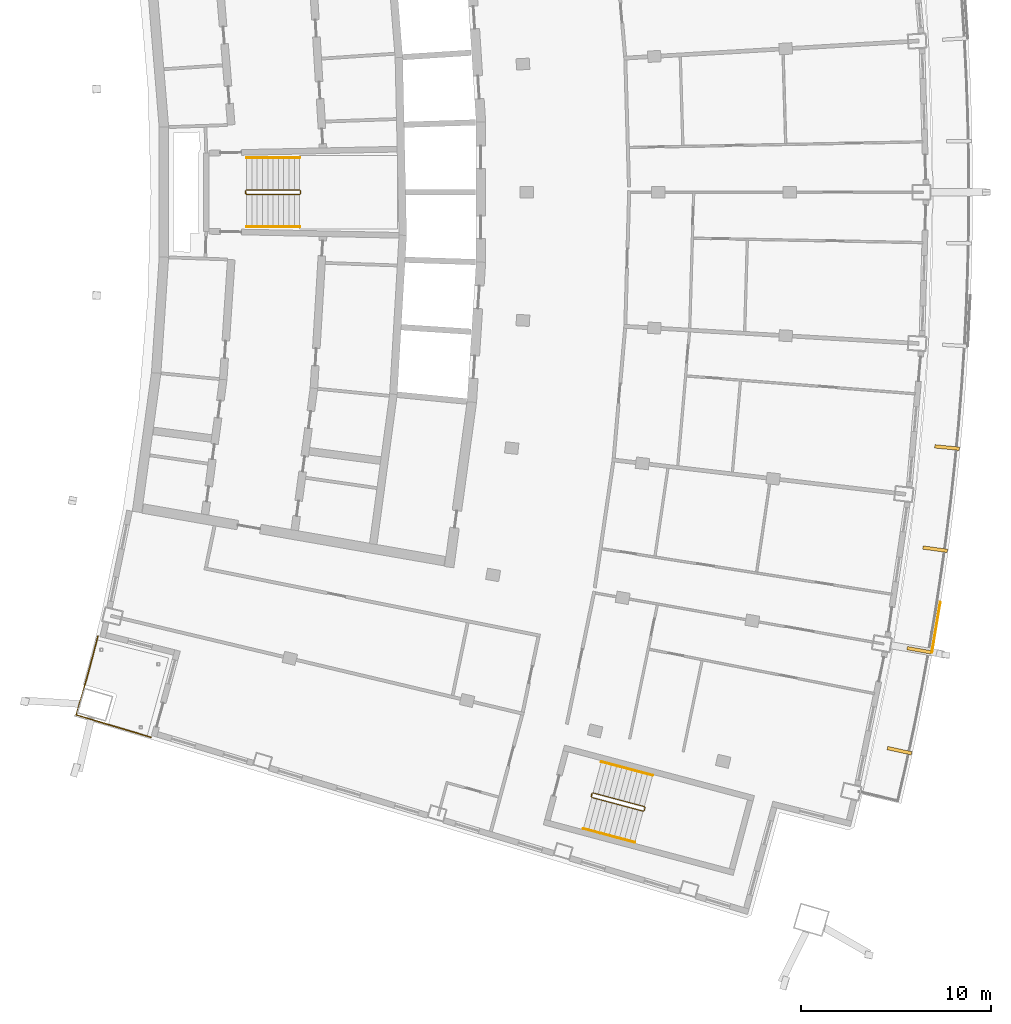
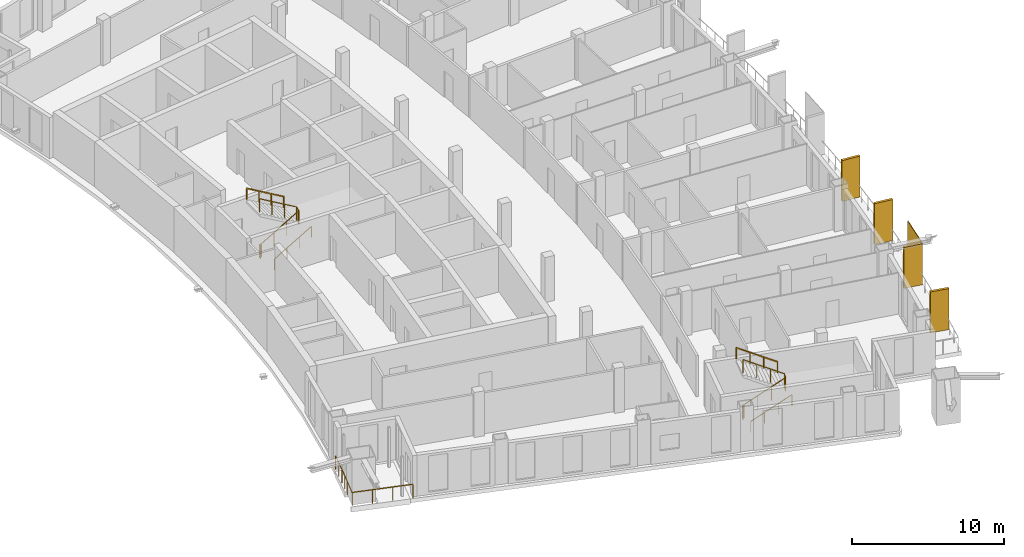
# One storey, part 18 of 20: 7 railings, 5 shading devices.
"""IFC4 building model written with IfcOpenShell, lengths in metres."""

from ifc_helpers import new_model, si_unit, direction, frame, origin, origin_with_axes, origin_2d, place, context, subcontext, project, spatial, rectangle, extrude, material, layer, layer_set, type_object, element, save


model = new_model("IFC4")

# Units and contexts
model_context = context("Model", 3, precision=1e-05, world=origin(), true_north=direction((0.0, 1.0)))
body_context = subcontext(model_context, "Body", "Model", "MODEL_VIEW")
ifc_project = project(units=[si_unit("LENGTHUNIT", "METRE"), si_unit("AREAUNIT", "SQUARE_METRE"), si_unit("VOLUMEUNIT", "CUBIC_METRE"), si_unit("PLANEANGLEUNIT", "RADIAN"), si_unit("MASSUNIT", "GRAM", prefix="KILO")], contexts=[model_context])

# Site, building, storey
site_placement = place(None, origin())
site = spatial("IfcSite", under=ifc_project, at=site_placement, CompositionType="ELEMENT")
building_placement = place(site_placement, origin())
building = spatial("IfcBuilding", under=site, at=building_placement, Name="Alderwake Tower", CompositionType="ELEMENT")
storey_placement = place(building_placement, frame((0.0, 0.0, 263.60009765625)))
storey = spatial("IfcBuildingStorey", under=building, at=storey_placement, Name="L65", CompositionType="ELEMENT", Elevation=263.60009765625)

# Railing
ifc_material_1 = material(Name="Stainless steel 316 rail and posts", Category="steel")
railing_type_1 = type_object("IfcRailingType", Name="Balcony guard 1100", PredefinedType="GUARDRAIL", material=ifc_material_1)
railing_1_placement = place(storey_placement, frame((13.210693359375, 37.612548828125, 0.0)))
element("IfcRailing", 1, at=railing_1_placement, inside=storey, type_object=railing_type_1, Name="Guard terrace RS", PredefinedType="GUARDRAIL", context=body_context, shape_type="SweptSolid", body=[
    extrude(rectangle(XDim=0.048095703125, YDim=0.048095703125, at=origin_2d()), frame((0.0, 0.0, 1.076171875), z_axis=(-0.251385381433, -0.967887075026, 0.0), x_axis=(0.967887075026, -0.251385381433, 0.0)), (0.0, 0.0, 1.0), 1.6015625),
    extrude(rectangle(XDim=0.048095703125, YDim=0.048095703125, at=origin_2d()), frame((-0.402587890625, -1.550048828125, 1.076171875), z_axis=(-0.266520638672, -0.963829211615, 0.0), x_axis=(0.963829211615, -0.266520638672, 0.0)), (0.0, 0.0, 1.0), 1.401611328125),
    extrude(rectangle(XDim=0.048095703125, YDim=0.048095703125, at=origin_2d()), frame((-0.776123046875, -2.90087890625, 1.076171875), z_axis=(-0.280093650878, -0.959972680204, 0.0), x_axis=(0.959972680204, -0.280093650878, 0.0)), (0.0, 0.0, 1.0), 1.30126953125),
    extrude(rectangle(XDim=0.048095703125, YDim=0.048095703125, at=origin_2d()), frame((-1.140625, -4.150146484375, 1.076171875), z_axis=(0.958066871889, -0.286544706789, 0.0), x_axis=(0.286544706789, 0.958066871889, 0.0)), (0.0, 0.0, 1.0), 4.099853515625),
    extrude(rectangle(XDim=0.0419921875, YDim=0.0419921875, at=origin_2d()), frame((0.0, 0.0, 0.0), z_axis=(0.0, 0.0, 1.0), x_axis=(-0.251385381433, -0.967887075026, 0.0)), (0.0, 0.0, 1.0), 1.052001953125),
    extrude(rectangle(XDim=0.0419921875, YDim=0.0419921875, at=origin_2d()), frame((-0.201171875, -0.77490234375, 0.0), z_axis=(0.0, 0.0, 1.0), x_axis=(-0.251385381433, -0.967887075026, 0.0)), (0.0, 0.0, 1.0), 1.052001953125),
    extrude(rectangle(XDim=0.0419921875, YDim=0.0419921875, at=origin_2d()), frame((-0.402587890625, -1.550048828125, 0.0), z_axis=(0.0, 0.0, 1.0), x_axis=(-0.266520638672, -0.963829211615, 0.0)), (0.0, 0.0, 1.0), 1.052001953125),
    extrude(rectangle(XDim=0.0419921875, YDim=0.0419921875, at=origin_2d()), frame((-0.58935546875, -2.2255859375, 0.0), z_axis=(0.0, 0.0, 1.0), x_axis=(-0.266520638672, -0.963829211615, 0.0)), (0.0, 0.0, 1.0), 1.052001953125),
    extrude(rectangle(XDim=0.0419921875, YDim=0.0419921875, at=origin_2d()), frame((-0.776123046875, -2.90087890625, 0.0), z_axis=(0.0, 0.0, 1.0), x_axis=(-0.280093650878, -0.959972680204, 0.0)), (0.0, 0.0, 1.0), 1.052001953125),
    extrude(rectangle(XDim=0.0419921875, YDim=0.0419921875, at=origin_2d()), frame((-1.140625, -4.150146484375, 0.0), z_axis=(0.0, 0.0, 1.0), x_axis=(0.958066871889, -0.286544706789, 0.0)), (0.0, 0.0, 1.0), 1.052001953125),
    extrude(rectangle(XDim=0.0419921875, YDim=0.0419921875, at=origin_2d()), frame((0.168701171875, -4.541748046875, 0.0), z_axis=(0.0, 0.0, 1.0), x_axis=(0.958066871889, -0.286544706789, 0.0)), (0.0, 0.0, 1.0), 1.052001953125),
    extrude(rectangle(XDim=0.0419921875, YDim=0.0419921875, at=origin_2d()), frame((1.47802734375, -4.933349609375, 0.0), z_axis=(0.0, 0.0, 1.0), x_axis=(0.958066871889, -0.286544706789, 0.0)), (0.0, 0.0, 1.0), 1.052001953125),
    extrude(rectangle(XDim=0.0419921875, YDim=0.0419921875, at=origin_2d()), frame((2.787353515625, -5.324951171875, 0.0), z_axis=(0.0, 0.0, 1.0), x_axis=(0.958066871889, -0.286544706789, 0.0)), (0.0, 0.0, 1.0), 1.052001953125),
])

# Shading devices
ifc_material_2 = material(Name="Bronze anodised aluminium", Category="aluminium")
ifc_layer_1 = layer(ifc_material_2, 0.179931640625)
ifc_layer_set_1 = layer_set([ifc_layer_1], Name="Facade fin 1300")
shading_device_type_1 = type_object("IfcShadingDeviceType", Name="Facade fin 1300", PredefinedType="USERDEFINED", material=ifc_layer_set_1)
for number, where, z_axis, x_axis, name in (
    (2, (55.44140625, 31.5791015625, 0.0), (0.0, 0.0, 1.0), (0.977210363881, -0.212273184185, 0.0), "Fin"),
    (3, (56.483154296875, 36.86865234375, 0.0), (0.0, 0.0, 1.0), (0.984726421654, -0.174108800747, 0.0), "Fin"),
    (4, (57.318359375, 42.194580078125, 0.0), (0.0, 0.0, 1.0), (0.990752577235, -0.135680988728, 0.0), "Fin"),
    (5, (57.94580078125, 47.54931640625, 0.0), (0.0, 0.0, 1.0), (0.995279882363, -0.097046152751, 0.0), "Fin"),
):
    element("IfcShadingDevice", number, at=place(storey_placement, frame(where, z_axis=z_axis, x_axis=x_axis)), inside=storey, type_object=shading_device_type_1, Name=name, ObjectType="FIN", PredefinedType="USERDEFINED", context=body_context, shape_type="SweptSolid", body=[
        extrude(rectangle(XDim=1.300048828125, YDim=0.179931640625, at=origin_2d()), origin(), (0.0, 0.0, 1.0), 3.280029296875),
    ])
ifc_material_3 = material(Name="Perforated bronze anodised aluminium", Category="aluminium")
ifc_layer_2 = layer(ifc_material_3, 0.050048828125)
ifc_layer_set_2 = layer_set([ifc_layer_2], Name="Perforated screen panel")
shading_device_type_2 = type_object("IfcShadingDeviceType", Name="Perforated screen panel", PredefinedType="USERDEFINED", material=ifc_layer_set_2)
shading_device_placement = place(storey_placement, frame((57.3701171875, 38.08349609375, 0.0), z_axis=(0.0, 0.0, 1.0), x_axis=(0.986369013299, -0.164548380739, 0.0)))
element("IfcShadingDevice", 6, at=shading_device_placement, inside=storey, type_object=shading_device_type_2, Name="Screen panel", ObjectType="SCREEN", PredefinedType="USERDEFINED", context=body_context, shape_type="SweptSolid", body=[
    extrude(rectangle(XDim=0.050048828125, YDim=2.701904296875, at=origin_2d()), origin(), (0.0, 0.0, 1.0), 3.280029296875),
])

# Railings
ifc_material_4 = material(Name="Stainless steel guard", Category="steel")
railing_type_2 = type_object("IfcRailingType", Name="Stair guard 1100", PredefinedType="GUARDRAIL", material=ifc_material_4)
railing_2_placement = place(storey_placement, frame((20.989990234375, 60.925048828125, 0.0)))
element("IfcRailing", 7, at=railing_2_placement, inside=storey, type_object=railing_type_2, Name="L65 ST-B stair guard 1", PredefinedType="GUARDRAIL", context=body_context, shape_type="SweptSolid", body=[
    extrude(rectangle(XDim=0.048095703125, YDim=0.048095703125, at=origin_2d()), frame((0.0, 0.0, 1.076171875), z_axis=(0.0, 1.0, 0.0), x_axis=(-1.0, 0.0, 0.0)), (0.0, 0.0, 1.0), 0.14990234375),
    extrude(rectangle(XDim=0.048095703125, YDim=0.048095703125, at=origin_2d()), frame((0.0, 0.14990234375, 1.076171875), z_axis=(0.190199549216, -0.759870394187, 0.621627795), x_axis=(0.970072785993, 0.242814311512, 0.0)), (0.0, 0.0, 1.0), 0.26318359375),
    extrude(rectangle(XDim=0.048095703125, YDim=0.048095703125, at=origin_2d()), frame((0.050048828125, -0.050048828125, 1.23974609375), z_axis=(0.863393664356, 0.0, 0.504530851732), x_axis=(0.0, 1.0, 0.0)), (0.0, 0.0, 1.0), 3.2431640625),
    extrude(rectangle(XDim=0.048095703125, YDim=0.048095703125, at=origin_2d()), frame((2.85009765625, -0.050048828125, 2.8759765625), z_axis=(0.705375805398, 0.708833529934, 0.0), x_axis=(-0.708833529934, 0.705375805398, 0.0)), (0.0, 0.0, 1.0), 0.070556640625),
    extrude(rectangle(XDim=0.048095703125, YDim=0.048095703125, at=origin_2d()), frame((2.89990234375, 0.0, 2.8759765625), z_axis=(0.0, 1.0, 0.0), x_axis=(-1.0, 0.0, 0.0)), (0.0, 0.0, 1.0), 0.14990234375),
    extrude(rectangle(XDim=0.048095703125, YDim=0.048095703125, at=origin_2d()), frame((2.89990234375, 0.14990234375, 2.8759765625), z_axis=(-0.279194930351, 0.280563532951, 0.91833234444), x_axis=(-0.708833529934, -0.705375805398, 0.0)), (0.0, 0.0, 1.0), 0.178466796875),
    extrude(rectangle(XDim=0.048095703125, YDim=0.048095703125, at=origin_2d()), frame((2.85009765625, 0.199951171875, 3.03955078125), z_axis=(-0.863393664356, 0.0, 0.504530851732), x_axis=(0.0, -1.0, 0.0)), (0.0, 0.0, 1.0), 3.2431640625),
    extrude(rectangle(XDim=0.0419921875, YDim=0.0419921875, at=origin_2d()), frame((0.0, 0.0, 0.0), z_axis=(0.0, 0.0, 1.0), x_axis=(0.0, 1.0, 0.0)), (0.0, 0.0, 1.0), 1.052001953125),
    extrude(rectangle(XDim=0.0419921875, YDim=0.0419921875, at=origin_2d()), frame((0.0, 0.14990234375, 0.0), z_axis=(0.0, 0.0, 1.0), x_axis=(0.242814311512, -0.970072785993, 0.0)), (0.0, 0.0, 1.0), 1.052001953125),
    extrude(rectangle(XDim=0.0419921875, YDim=0.0419921875, at=origin_2d()), frame((0.050048828125, -0.050048828125, 0.16357421875), z_axis=(0.0, 0.0, 1.0), x_axis=(1.0, 0.0, 0.0)), (0.0, 0.0, 1.0), 1.052001953125),
    extrude(rectangle(XDim=0.0419921875, YDim=0.0419921875, at=origin_2d()), frame((0.9833984375, -0.050048828125, 0.708984375), z_axis=(0.0, 0.0, 1.0), x_axis=(1.0, 0.0, 0.0)), (0.0, 0.0, 1.0), 1.052001953125),
    extrude(rectangle(XDim=0.0419921875, YDim=0.0419921875, at=origin_2d()), frame((1.916748046875, -0.050048828125, 1.25439453125), z_axis=(0.0, 0.0, 1.0), x_axis=(1.0, 0.0, 0.0)), (0.0, 0.0, 1.0), 1.052001953125),
    extrude(rectangle(XDim=0.0419921875, YDim=0.0419921875, at=origin_2d()), frame((2.85009765625, -0.050048828125, 1.7998046875), z_axis=(0.0, 0.0, 1.0), x_axis=(0.705375805398, 0.708833529934, 0.0)), (0.0, 0.0, 1.0), 1.052001953125),
    extrude(rectangle(XDim=0.0419921875, YDim=0.0419921875, at=origin_2d()), frame((2.89990234375, 0.0, 1.7998046875), z_axis=(0.0, 0.0, 1.0), x_axis=(0.0, 1.0, 0.0)), (0.0, 0.0, 1.0), 1.052001953125),
    extrude(rectangle(XDim=0.0419921875, YDim=0.0419921875, at=origin_2d()), frame((2.89990234375, 0.14990234375, 1.7998046875), z_axis=(0.0, 0.0, 1.0), x_axis=(-0.705375805398, 0.708833529934, 0.0)), (0.0, 0.0, 1.0), 1.052001953125),
    extrude(rectangle(XDim=0.0419921875, YDim=0.0419921875, at=origin_2d()), frame((2.85009765625, 0.199951171875, 1.963623046875), z_axis=(0.0, 0.0, 1.0), x_axis=(-1.0, 0.0, 0.0)), (0.0, 0.0, 1.0), 1.052001953125),
    extrude(rectangle(XDim=0.0419921875, YDim=0.0419921875, at=origin_2d()), frame((1.916748046875, 0.199951171875, 2.509033203125), z_axis=(0.0, 0.0, 1.0), x_axis=(-1.0, 0.0, 0.0)), (0.0, 0.0, 1.0), 1.052001953125),
    extrude(rectangle(XDim=0.0419921875, YDim=0.0419921875, at=origin_2d()), frame((0.9833984375, 0.199951171875, 3.054443359375), z_axis=(0.0, 0.0, 1.0), x_axis=(-1.0, 0.0, 0.0)), (0.0, 0.0, 1.0), 1.052001953125),
    extrude(rectangle(XDim=0.0419921875, YDim=0.0419921875, at=origin_2d()), frame((0.050048828125, 0.199951171875, 3.599853515625), z_axis=(0.0, 0.0, 1.0), x_axis=(-1.0, 0.0, 0.0)), (0.0, 0.0, 1.0), 1.052001953125),
])
railing_3_placement = place(storey_placement, frame((39.1943359375, 29.17431640625, 0.0)))
element("IfcRailing", 8, at=railing_3_placement, inside=storey, type_object=railing_type_2, Name="L65 ST-C stair guard 1", PredefinedType="GUARDRAIL", context=body_context, shape_type="SweptSolid", body=[
    extrude(rectangle(XDim=0.048095703125, YDim=0.048095703125, at=origin_2d()), frame((0.0, 0.0, 1.076171875), z_axis=(0.257459803502, 0.966289009345, 0.0), x_axis=(-0.966289009345, 0.257459803502, 0.0)), (0.0, 0.0, 1.0), 0.14990234375),
    extrude(rectangle(XDim=0.048095703125, YDim=0.048095703125, at=origin_2d()), frame((0.03857421875, 0.144775390625, 1.076171875), z_axis=(-0.012062893862, -0.783160186125, 0.621702991355), x_axis=(0.999881397308, -0.015401016783, 0.0)), (0.0, 0.0, 1.0), 0.26318359375),
    extrude(rectangle(XDim=0.048095703125, YDim=0.048095703125, at=origin_2d()), frame((0.035400390625, -0.061279296875, 1.23974609375), z_axis=(0.834313512087, -0.222222637163, 0.504517653885), x_axis=(0.257380452725, 0.966310148221, 0.0)), (0.0, 0.0, 1.0), 3.2431640625),
    extrude(rectangle(XDim=0.048095703125, YDim=0.048095703125, at=origin_2d()), frame((2.7412109375, -0.781982421875, 2.8759765625), z_axis=(0.865031189262, 0.501718089772, 0.0), x_axis=(-0.501718089772, 0.865031189262, 0.0)), (0.0, 0.0, 1.0), 0.070556640625),
    extrude(rectangle(XDim=0.048095703125, YDim=0.048095703125, at=origin_2d()), frame((2.80224609375, -0.74658203125, 2.8759765625), z_axis=(0.257055032184, 0.966396766566, 0.0), x_axis=(-0.966396766566, 0.257055032184, 0.0)), (0.0, 0.0, 1.0), 0.150146484375),
    extrude(rectangle(XDim=0.048095703125, YDim=0.048095703125, at=origin_2d()), frame((2.8408203125, -0.6015625, 2.8759765625), z_axis=(-0.198375862152, 0.343395457933, 0.918001403477), x_axis=(-0.865898279276, -0.500220121494, 0.0)), (0.0, 0.0, 1.0), 0.178466796875),
    extrude(rectangle(XDim=0.048095703125, YDim=0.048095703125, at=origin_2d()), frame((2.805419921875, -0.540283203125, 3.03955078125), z_axis=(-0.834290631165, 0.222236594766, 0.504549342183), x_axis=(-0.257402139082, -0.966304371715, 0.0)), (0.0, 0.0, 1.0), 3.242919921875),
    extrude(rectangle(XDim=0.0419921875, YDim=0.0419921875, at=origin_2d()), frame((0.0, 0.0, 0.0), z_axis=(0.0, 0.0, 1.0), x_axis=(0.257459803502, 0.966289009345, 0.0)), (0.0, 0.0, 1.0), 1.052001953125),
    extrude(rectangle(XDim=0.0419921875, YDim=0.0419921875, at=origin_2d()), frame((0.03857421875, 0.144775390625, 0.0), z_axis=(0.0, 0.0, 1.0), x_axis=(-0.015401016783, -0.999881397308, 0.0)), (0.0, 0.0, 1.0), 1.052001953125),
    extrude(rectangle(XDim=0.0419921875, YDim=0.0419921875, at=origin_2d()), frame((0.035400390625, -0.061279296875, 0.16357421875), z_axis=(0.0, 0.0, 1.0), x_axis=(0.966310148221, -0.257380452725, 0.0)), (0.0, 0.0, 1.0), 1.052001953125),
    extrude(rectangle(XDim=0.0419921875, YDim=0.0419921875, at=origin_2d()), frame((0.937255859375, -0.301513671875, 0.708984375), z_axis=(0.0, 0.0, 1.0), x_axis=(0.966310148221, -0.257380452725, 0.0)), (0.0, 0.0, 1.0), 1.052001953125),
    extrude(rectangle(XDim=0.0419921875, YDim=0.0419921875, at=origin_2d()), frame((1.83935546875, -0.541748046875, 1.25439453125), z_axis=(0.0, 0.0, 1.0), x_axis=(0.966310148221, -0.257380452725, 0.0)), (0.0, 0.0, 1.0), 1.052001953125),
    extrude(rectangle(XDim=0.0419921875, YDim=0.0419921875, at=origin_2d()), frame((2.7412109375, -0.781982421875, 1.7998046875), z_axis=(0.0, 0.0, 1.0), x_axis=(0.865031189262, 0.501718089772, 0.0)), (0.0, 0.0, 1.0), 1.052001953125),
    extrude(rectangle(XDim=0.0419921875, YDim=0.0419921875, at=origin_2d()), frame((2.80224609375, -0.74658203125, 1.7998046875), z_axis=(0.0, 0.0, 1.0), x_axis=(0.257055032184, 0.966396766566, 0.0)), (0.0, 0.0, 1.0), 1.052001953125),
    extrude(rectangle(XDim=0.0419921875, YDim=0.0419921875, at=origin_2d()), frame((2.8408203125, -0.6015625, 1.7998046875), z_axis=(0.0, 0.0, 1.0), x_axis=(-0.500220121494, 0.865898279276, 0.0)), (0.0, 0.0, 1.0), 1.052001953125),
    extrude(rectangle(XDim=0.0419921875, YDim=0.0419921875, at=origin_2d()), frame((2.805419921875, -0.540283203125, 1.963623046875), z_axis=(0.0, 0.0, 1.0), x_axis=(-0.966304371715, 0.257402139082, 0.0)), (0.0, 0.0, 1.0), 1.052001953125),
    extrude(rectangle(XDim=0.0419921875, YDim=0.0419921875, at=origin_2d()), frame((1.903564453125, -0.300048828125, 2.509033203125), z_axis=(0.0, 0.0, 1.0), x_axis=(-0.966304371715, 0.257402139082, 0.0)), (0.0, 0.0, 1.0), 1.052001953125),
    extrude(rectangle(XDim=0.0419921875, YDim=0.0419921875, at=origin_2d()), frame((1.001708984375, -0.059814453125, 3.054443359375), z_axis=(0.0, 0.0, 1.0), x_axis=(-0.966304371715, 0.257402139082, 0.0)), (0.0, 0.0, 1.0), 1.052001953125),
    extrude(rectangle(XDim=0.0419921875, YDim=0.0419921875, at=origin_2d()), frame((0.099853515625, 0.180419921875, 3.599853515625), z_axis=(0.0, 0.0, 1.0), x_axis=(-0.966304371715, 0.257402139082, 0.0)), (0.0, 0.0, 1.0), 1.052001953125),
])
ifc_material_5 = material(Name="Stainless steel handrail", Category="steel")
railing_type_3 = type_object("IfcRailingType", Name="Stair handrail 900", PredefinedType="HANDRAIL", material=ifc_material_5)
railing_4_placement = place(storey_placement, frame((21.0400390625, 59.175048828125, 0.16357421875)))
element("IfcRailing", 9, at=railing_4_placement, inside=storey, type_object=railing_type_3, Name="L65 ST-B stair handrail 1", PredefinedType="HANDRAIL", context=body_context, shape_type="SweptSolid", body=[
    extrude(rectangle(XDim=0.048095703125, YDim=0.048095703125, at=origin_2d()), frame((0.0, 0.0, 0.8759765625), z_axis=(0.863393664356, 0.0, 0.504530851732), x_axis=(0.0, 1.0, 0.0)), (0.0, 0.0, 1.0), 3.2431640625),
    extrude(rectangle(XDim=0.0419921875, YDim=0.0419921875, at=origin_2d()), origin_with_axes(), (0.0, 0.0, 1.0), 0.851806640625),
    extrude(rectangle(XDim=0.0419921875, YDim=0.0419921875, at=origin_2d()), frame((0.933349609375, 0.0, 0.54541015625), z_axis=(0.0, 0.0, 1.0), x_axis=(1.0, 0.0, 0.0)), (0.0, 0.0, 1.0), 0.851806640625),
    extrude(rectangle(XDim=0.0419921875, YDim=0.0419921875, at=origin_2d()), frame((1.86669921875, 0.0, 1.0908203125), z_axis=(0.0, 0.0, 1.0), x_axis=(1.0, 0.0, 0.0)), (0.0, 0.0, 1.0), 0.851806640625),
    extrude(rectangle(XDim=0.0419921875, YDim=0.0419921875, at=origin_2d()), frame((2.800048828125, 0.0, 1.63623046875), z_axis=(0.0, 0.0, 1.0), x_axis=(1.0, 0.0, 0.0)), (0.0, 0.0, 1.0), 0.851806640625),
])
railing_5_placement = place(storey_placement, frame((23.840087890625, 62.824951171875, 1.963623046875)))
element("IfcRailing", 10, at=railing_5_placement, inside=storey, type_object=railing_type_3, Name="L65 ST-B stair handrail 2", PredefinedType="HANDRAIL", context=body_context, shape_type="SweptSolid", body=[
    extrude(rectangle(XDim=0.048095703125, YDim=0.048095703125, at=origin_2d()), frame((0.0, 0.0, 0.8759765625), z_axis=(-0.863393664356, 0.0, 0.504530851732), x_axis=(0.0, -1.0, 0.0)), (0.0, 0.0, 1.0), 3.2431640625),
    extrude(rectangle(XDim=0.0419921875, YDim=0.0419921875, at=origin_2d()), frame((0.0, 0.0, 0.0), z_axis=(0.0, 0.0, 1.0), x_axis=(-1.0, 0.0, 0.0)), (0.0, 0.0, 1.0), 0.851806640625),
    extrude(rectangle(XDim=0.0419921875, YDim=0.0419921875, at=origin_2d()), frame((-0.933349609375, 0.0, 0.54541015625), z_axis=(0.0, 0.0, 1.0), x_axis=(-1.0, 0.0, 0.0)), (0.0, 0.0, 1.0), 0.851806640625),
    extrude(rectangle(XDim=0.0419921875, YDim=0.0419921875, at=origin_2d()), frame((-1.86669921875, 0.0, 1.0908203125), z_axis=(0.0, 0.0, 1.0), x_axis=(-1.0, 0.0, 0.0)), (0.0, 0.0, 1.0), 0.851806640625),
    extrude(rectangle(XDim=0.0419921875, YDim=0.0419921875, at=origin_2d()), frame((-2.800048828125, 0.0, 1.63623046875), z_axis=(0.0, 0.0, 1.0), x_axis=(-1.0, 0.0, 0.0)), (0.0, 0.0, 1.0), 0.851806640625),
])
railing_6_placement = place(storey_placement, frame((38.792236328125, 27.47021484375, 0.16357421875)))
element("IfcRailing", 11, at=railing_6_placement, inside=storey, type_object=railing_type_3, Name="L65 ST-C stair handrail 1", PredefinedType="HANDRAIL", context=body_context, shape_type="SweptSolid", body=[
    extrude(rectangle(XDim=0.048095703125, YDim=0.048095703125, at=origin_2d()), frame((0.0, 0.0, 0.8759765625), z_axis=(0.834304587439, -0.222165027751, 0.504557782442), x_axis=(0.25732071773, 0.966326056891, 0.0)), (0.0, 0.0, 1.0), 3.242919921875),
    extrude(rectangle(XDim=0.0419921875, YDim=0.0419921875, at=origin_2d()), frame((0.0, 0.0, 0.0), z_axis=(0.0, 0.0, 1.0), x_axis=(0.966326056891, -0.25732071773, 0.0)), (0.0, 0.0, 1.0), 0.851806640625),
    extrude(rectangle(XDim=0.0419921875, YDim=0.0419921875, at=origin_2d()), frame((0.90185546875, -0.240234375, 0.54541015625), z_axis=(0.0, 0.0, 1.0), x_axis=(0.966326056891, -0.25732071773, 0.0)), (0.0, 0.0, 1.0), 0.851806640625),
    extrude(rectangle(XDim=0.0419921875, YDim=0.0419921875, at=origin_2d()), frame((1.8037109375, -0.480224609375, 1.0908203125), z_axis=(0.0, 0.0, 1.0), x_axis=(0.966326056891, -0.25732071773, 0.0)), (0.0, 0.0, 1.0), 0.851806640625),
    extrude(rectangle(XDim=0.0419921875, YDim=0.0419921875, at=origin_2d()), frame((2.70556640625, -0.720458984375, 1.63623046875), z_axis=(0.0, 0.0, 1.0), x_axis=(0.966326056891, -0.25732071773, 0.0)), (0.0, 0.0, 1.0), 0.851806640625),
])
railing_7_placement = place(storey_placement, frame((42.437255859375, 30.276611328125, 1.963623046875)))
element("IfcRailing", 12, at=railing_7_placement, inside=storey, type_object=railing_type_3, Name="L65 ST-C stair handrail 2", PredefinedType="HANDRAIL", context=body_context, shape_type="SweptSolid", body=[
    extrude(rectangle(XDim=0.048095703125, YDim=0.048095703125, at=origin_2d()), frame((0.0, 0.0, 0.8759765625), z_axis=(-0.834290631165, 0.222236594766, 0.504549342183), x_axis=(-0.257402139082, -0.966304371715, 0.0)), (0.0, 0.0, 1.0), 3.242919921875),
    extrude(rectangle(XDim=0.0419921875, YDim=0.0419921875, at=origin_2d()), frame((0.0, 0.0, 0.0), z_axis=(0.0, 0.0, 1.0), x_axis=(-0.966304371715, 0.257402139082, 0.0)), (0.0, 0.0, 1.0), 0.851806640625),
    extrude(rectangle(XDim=0.0419921875, YDim=0.0419921875, at=origin_2d()), frame((-0.90185546875, 0.240234375, 0.54541015625), z_axis=(0.0, 0.0, 1.0), x_axis=(-0.966304371715, 0.257402139082, 0.0)), (0.0, 0.0, 1.0), 0.851806640625),
    extrude(rectangle(XDim=0.0419921875, YDim=0.0419921875, at=origin_2d()), frame((-1.8037109375, 0.48046875, 1.0908203125), z_axis=(0.0, 0.0, 1.0), x_axis=(-0.966304371715, 0.257402139082, 0.0)), (0.0, 0.0, 1.0), 0.851806640625),
    extrude(rectangle(XDim=0.0419921875, YDim=0.0419921875, at=origin_2d()), frame((-2.70556640625, 0.720703125, 1.63623046875), z_axis=(0.0, 0.0, 1.0), x_axis=(-0.966304371715, 0.257402139082, 0.0)), (0.0, 0.0, 1.0), 0.851806640625),
])

save(model, "model.ifc")
